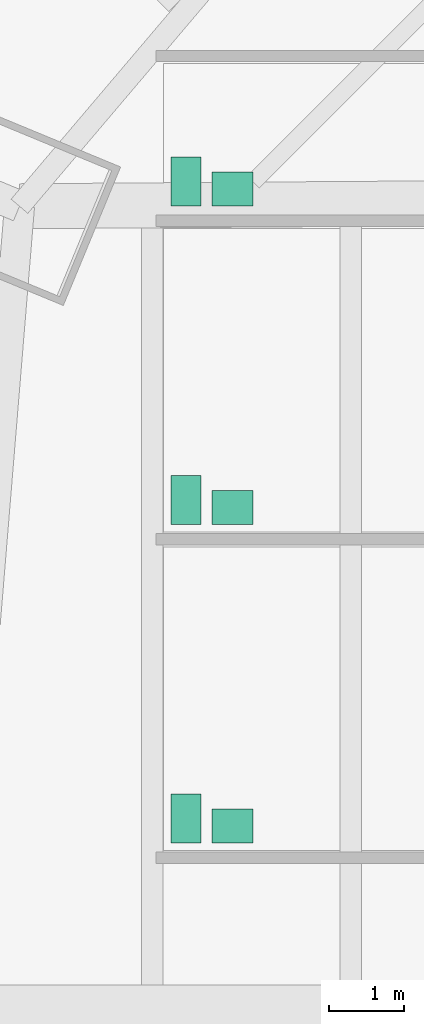
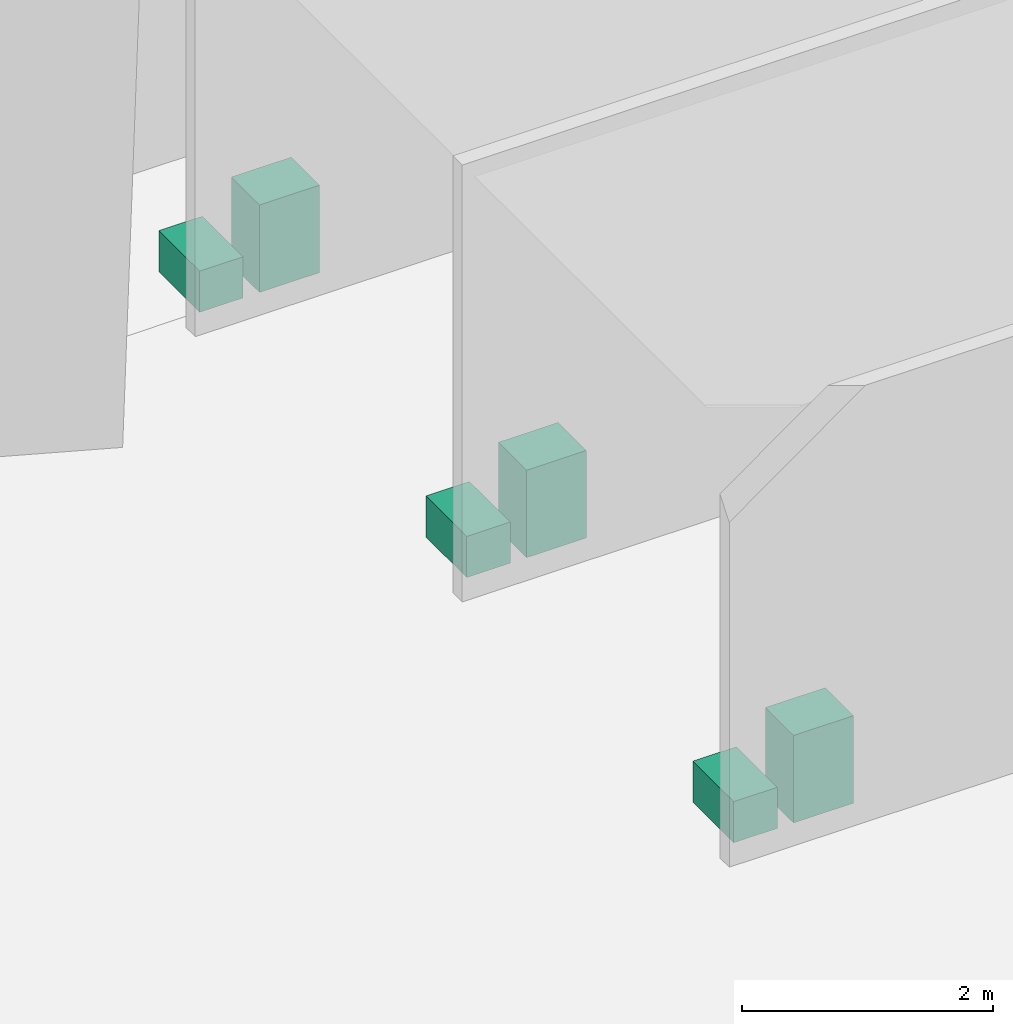
# One storey, part 18 of 18: 6 sanitary terminals.
"""IFC4 building model written with IfcOpenShell, lengths in metres."""

from ifc_helpers import new_model, si_unit, direction, frame, origin, origin_2d, place, context, subcontext, project, spatial, rectangle, extrude, material, type_object, element, save


model = new_model("IFC4")

# Units and contexts
model_context = context("Model", 3, precision=1e-05, world=origin(), true_north=direction((0.0, 1.0)))
body_context = subcontext(model_context, "Body", "Model", "MODEL_VIEW")
ifc_project = project(units=[si_unit("LENGTHUNIT", "METRE"), si_unit("AREAUNIT", "SQUARE_METRE"), si_unit("VOLUMEUNIT", "CUBIC_METRE"), si_unit("PLANEANGLEUNIT", "RADIAN"), si_unit("MASSUNIT", "GRAM", prefix="KILO")], contexts=[model_context])

# Site, building, storey
site_placement = place(None, origin())
site = spatial("IfcSite", under=ifc_project, at=site_placement, CompositionType="ELEMENT")
building_placement = place(site_placement, origin())
building = spatial("IfcBuilding", under=site, at=building_placement, Name="Mashrafa Tower", CompositionType="ELEMENT")
storey_placement = place(building_placement, frame((0.0, 0.0, 18.60009765625)))
storey = spatial("IfcBuildingStorey", under=building, at=storey_placement, Name="L03", CompositionType="ELEMENT", Elevation=18.60009765625)

# Sanitary terminals
ifc_material_1 = material(Name="Vitreous china")
sanitary_terminal_type_1 = type_object("IfcSanitaryTerminalType", Name="Toilet pan 400 x 650", PredefinedType="TOILETPAN", material=ifc_material_1)
for number, where, z_axis, x_axis, name in (
    (1, (-23.60009765625, 2.52490234375, 0.0), (0.0, 0.0, 1.0), (1.0, 0.0, 0.0), "Toilet pan WC Female L03"),
    (2, (-23.60009765625, 6.77490234375, 0.0), (0.0, 0.0, 1.0), (1.0, 0.0, 0.0), "Toilet pan WC Male L03"),
    (3, (-23.60009765625, 11.02490234375, 0.0), (0.0, 0.0, 1.0), (1.0, 0.0, 0.0), "Toilet pan Accessible WC L03"),
):
    element("IfcSanitaryTerminal", number, at=place(storey_placement, frame(where, z_axis=z_axis, x_axis=x_axis)), inside=storey, type_object=sanitary_terminal_type_1, Name=name, PredefinedType="TOILETPAN", context=body_context, shape_type="SweptSolid", body=[
        extrude(rectangle(XDim=0.39990234375, YDim=0.64990234375, at=origin_2d()), origin(), (0.0, 0.0, 1.0), 0.39990234375),
    ])
ifc_material_2 = material(Name="Vitreous china")
sanitary_terminal_type_2 = type_object("IfcSanitaryTerminalType", Name="Wash basin 550 x 450", PredefinedType="WASHHANDBASIN", material=ifc_material_2)
for number, where, z_axis, x_axis, name in (
    (4, (-22.97509765625, 2.425048828125, -0.000244140625), (0.0, 0.0, 1.0), (1.0, 0.0, 0.0), "Wash basin WC Female L03"),
    (5, (-22.97509765625, 6.675048828125, -0.000244140625), (0.0, 0.0, 1.0), (1.0, 0.0, 0.0), "Wash basin WC Male L03"),
    (6, (-22.97509765625, 10.925048828125, -0.000244140625), (0.0, 0.0, 1.0), (1.0, 0.0, 0.0), "Wash basin Accessible WC L03"),
):
    element("IfcSanitaryTerminal", number, at=place(storey_placement, frame(where, z_axis=z_axis, x_axis=x_axis)), inside=storey, type_object=sanitary_terminal_type_2, Name=name, PredefinedType="WASHHANDBASIN", context=body_context, shape_type="SweptSolid", body=[
        extrude(rectangle(XDim=0.550048828125, YDim=0.449951171875, at=origin_2d()), origin(), (0.0, 0.0, 1.0), 0.85009765625),
    ])

save(model, "model.ifc")
